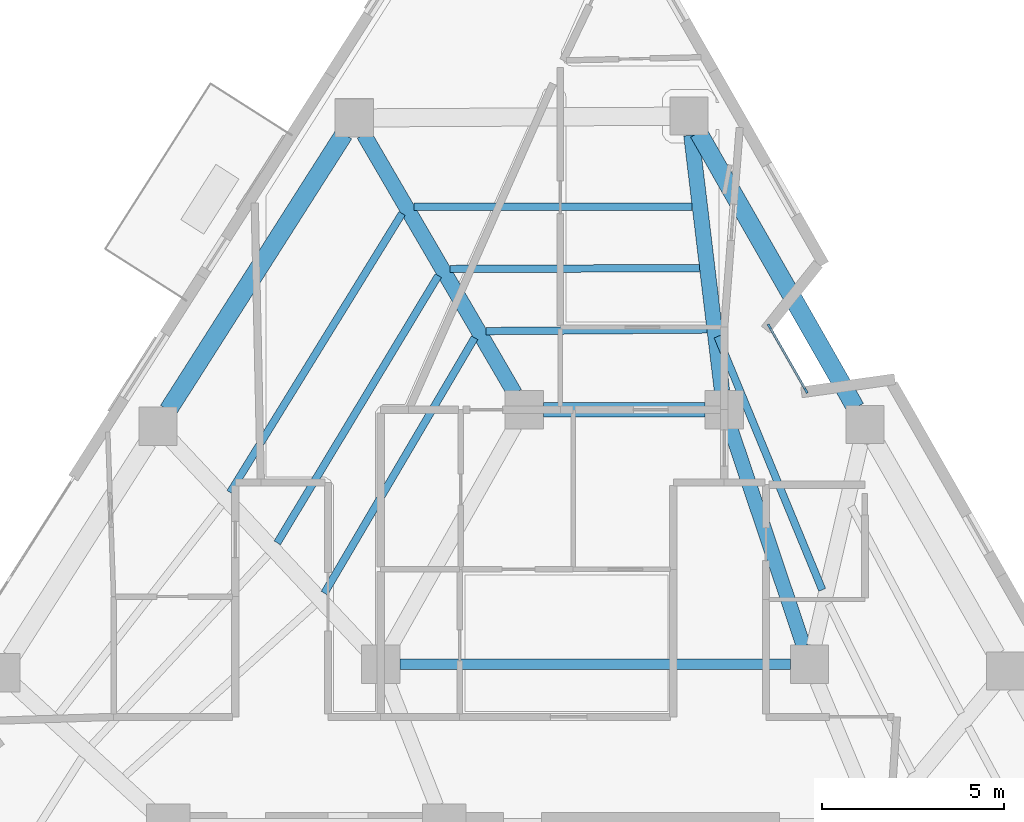
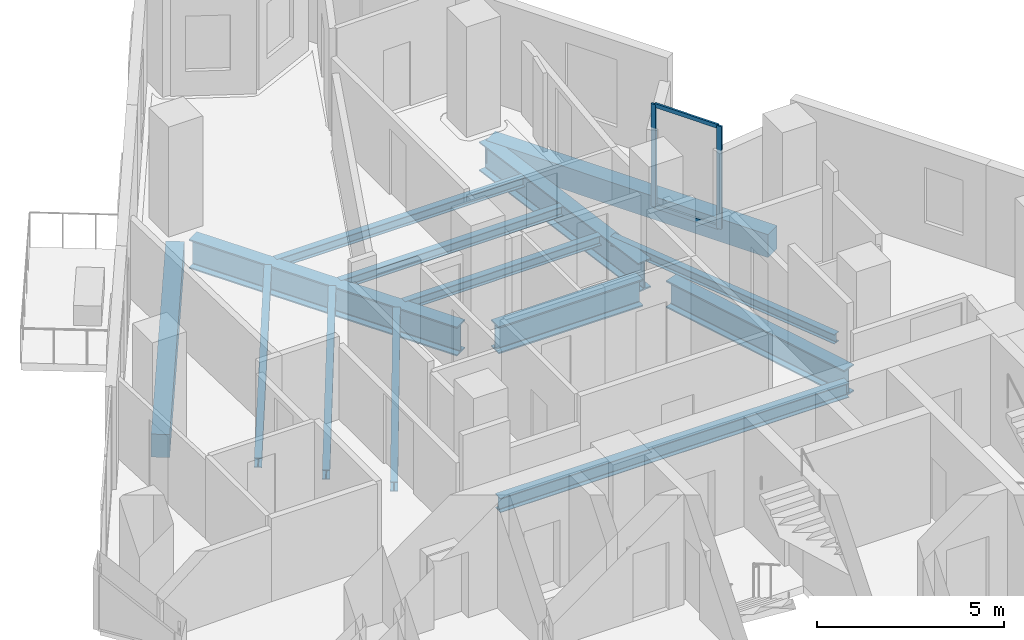
# One storey, part 3 of 11: 14 beams, 4 members, 1 element without a shape of its own.
"""IFC4 building model written with IfcOpenShell, lengths in metres."""

import ifcopenshell
import ifcopenshell.guid

model = None  # the IFC model being written
_history = None  # IfcOwnerHistory: only IFC2X3 demands one
_inside = {}  # id of a spatial element -> (the spatial element, [elements in it])
_under = {}  # id of a project, library or spatial element -> (it, [spatial elements below it])
_declared = {}  # id of a project -> (the project, [libraries it declares])
_typed = {}  # id of a type object -> (the type object, [elements of that type])
_made_of = {}  # id of a material, layer set ... -> (it, [elements and type objects made of it])


def new_model(schema):
    """Start an empty IFC model of exactly this schema.

    Asked for "IFC4X3", IfcOpenShell would pick the latest addendum, in which some entities
    have other attributes; the version numbers below select the first issue.
    IFC2X3 requires an IfcOwnerHistory on every rooted entity: one is made here for all.
    """
    global model, _history
    if schema == "IFC4X3":
        model = ifcopenshell.file(schema_version=(4, 3, 0, 0))
    else:
        model = ifcopenshell.file(schema=schema)
    _inside.clear()
    _under.clear()
    _declared.clear()
    _typed.clear()
    _made_of.clear()
    _history = None
    if model.schema == "IFC2X3":
        org = make("IfcOrganization", Name="unknown")
        user = make(
            "IfcPersonAndOrganization",
            ThePerson=make("IfcPerson", FamilyName="unknown"),
            TheOrganization=org,
        )
        app = make(
            "IfcApplication",
            ApplicationDeveloper=org,
            Version="unknown",
            ApplicationFullName="unknown",
            ApplicationIdentifier="unknown",
        )
        _history = make(
            "IfcOwnerHistory",
            OwningUser=user,
            OwningApplication=app,
            ChangeAction="ADDED",
            CreationDate=0,
        )
    return model


def make(cls, **values):
    """One entity of the class cls with the attributes given. An attribute that is None is left unset."""
    return model.create_entity(
        cls, **{name: value for name, value in values.items() if value is not None}
    )


def rooted(cls, **values):
    """An entity with a GlobalId (a new one), such as an element, a storey or a relation."""
    return make(cls, GlobalId=ifcopenshell.guid.new(), OwnerHistory=_history, **values)


def si_unit(unit_type, name, prefix=None):
    """IfcSIUnit, for example si_unit("LENGTHUNIT", "METRE", prefix="MILLI")."""
    return make("IfcSIUnit", UnitType=unit_type, Prefix=prefix, Name=name)


def assignment(units):
    """IfcUnitAssignment: the units of a project."""
    return None if units is None else make("IfcUnitAssignment", Units=units)


def point(xyz):
    """IfcCartesianPoint."""
    return None if xyz is None else make("IfcCartesianPoint", Coordinates=xyz)


def direction(xyz):
    """IfcDirection."""
    return None if xyz is None else make("IfcDirection", DirectionRatios=xyz)


def frame(location, z_axis=None, x_axis=None):
    """IfcAxis2Placement3D, a coordinate frame: its origin and axes. An axis left out is left unset."""
    return make(
        "IfcAxis2Placement3D",
        Location=point(location),
        Axis=direction(z_axis),
        RefDirection=direction(x_axis),
    )


def frame_2d(location, x_axis=None):
    """IfcAxis2Placement2D, a coordinate frame in the plane: its origin and x axis."""
    return make(
        "IfcAxis2Placement2D", Location=point(location), RefDirection=direction(x_axis)
    )


def origin():
    """The frame at (0, 0, 0) with its axes left unset."""
    return frame((0.0, 0.0, 0.0))


def origin_2d():
    """The frame at (0, 0) in the plane with its x axis left unset."""
    return frame_2d((0.0, 0.0))


def place(relative_to, where):
    """IfcLocalPlacement: puts the frame where relative to a parent placement (None: the world)."""
    return make(
        "IfcLocalPlacement", PlacementRelTo=relative_to, RelativePlacement=where
    )


def context(
    kind, dimensions, precision=None, world=None, true_north=None, identifier=None
):
    """IfcGeometricRepresentationContext, for example the 3D "Model" context."""
    return make(
        "IfcGeometricRepresentationContext",
        ContextIdentifier=identifier,
        ContextType=kind,
        CoordinateSpaceDimension=dimensions,
        Precision=precision,
        WorldCoordinateSystem=world,
        TrueNorth=true_north,
    )


def subcontext(parent, identifier, kind, view, scale=None):
    """IfcGeometricRepresentationSubContext, for example "Body" below "Model"."""
    return make(
        "IfcGeometricRepresentationSubContext",
        ContextIdentifier=identifier,
        ContextType=kind,
        ParentContext=parent,
        TargetScale=scale,
        TargetView=view,
    )


def project(units=None, contexts=None):
    """IfcProject with its units and contexts."""
    return rooted(
        "IfcProject",
        Name="project",
        RepresentationContexts=contexts,
        UnitsInContext=assignment(units),
    )


def spatial(cls, under=None, at=None, **own):
    """A site, building, storey or space (cls), placed at a placement, below another one or the project."""
    s = rooted(cls, ObjectPlacement=at, **own)
    if under is not None:
        _under.setdefault(under.id(), (under, []))[1].append(s)
    return s


def profile(cls, at=None, kind="AREA", **sizes):
    """A parametric profile (cls). Its sizes go by their IFC names, for example OverallWidth=200.0."""
    return make(cls, ProfileType=kind, Position=at, **sizes)


def rectangle(**sizes):
    """IfcRectangleProfileDef."""
    return profile("IfcRectangleProfileDef", **sizes)


def i_section(**sizes):
    """IfcIShapeProfileDef."""
    return profile("IfcIShapeProfileDef", **sizes)


def extrude(swept, where, along, depth):
    """IfcExtrudedAreaSolid: the profile swept, set in the frame where, extruded along a direction by depth."""
    return make(
        "IfcExtrudedAreaSolid",
        SweptArea=swept,
        Position=where,
        ExtrudedDirection=direction(along),
        Depth=depth,
    )


def shape(context_of_items, identifier, shape_type, items):
    """IfcShapeRepresentation: the items that make up one representation, for example the "Body"."""
    return make(
        "IfcShapeRepresentation",
        ContextOfItems=context_of_items,
        RepresentationIdentifier=identifier,
        RepresentationType=shape_type,
        Items=items,
    )


def material(Name=None, Category=None):
    """IfcMaterial."""
    return make("IfcMaterial", Name=Name, Category=Category)


def layer(
    of_material, thickness, ventilated=None, Name=None, Category=None, Priority=None
):
    """IfcMaterialLayer: one layer of a wall or slab, of a material (None: an air gap)."""
    return make(
        "IfcMaterialLayer",
        Material=of_material,
        LayerThickness=thickness,
        IsVentilated=ventilated,
        Name=Name,
        Category=Category,
        Priority=Priority,
    )


def layer_set(layers, Name=None):
    """IfcMaterialLayerSet."""
    return make("IfcMaterialLayerSet", MaterialLayers=layers, LayerSetName=Name)


def material_profile(
    of_material, cross_section, Name=None, Category=None, Priority=None
):
    """IfcMaterialProfile: a cross section and its material."""
    return make(
        "IfcMaterialProfile",
        Name=Name,
        Material=of_material,
        Profile=cross_section,
        Priority=Priority,
        Category=Category,
    )


def profile_set(profiles, Name=None, composite=None):
    """IfcMaterialProfileSet."""
    return make(
        "IfcMaterialProfileSet",
        Name=Name,
        MaterialProfiles=profiles,
        CompositeProfile=composite,
    )


def made_of(thing, what):
    """Note that an element or type object is made of a material, layer set ...; save() writes the relation."""
    if what is not None:
        _made_of.setdefault(what.id(), (what, []))[1].append(thing)
    return thing


def type_object(cls, material=None, **own):
    """A type object (cls), such as IfcWallType, which elements share."""
    return made_of(rooted(cls, **own), material)


def element(
    cls,
    number,
    at=None,
    inside=None,
    cuts=None,
    type_object=None,
    material=None,
    context=None,
    identifier="Body",
    shape_type=None,
    held_by="IfcProductDefinitionShape",
    body=None,
    shapes=None,
    **own,
):
    """One element of the class cls, such as IfcWall. Its Tag is "e" and its number.

    at: its placement. inside: the storey or other place that contains it. cuts: it is an
    opening in that element (IfcRelVoidsElement). A single representation is given by context,
    identifier, shape_type and body (its items); several are given by shapes. held_by: the class
    of the entity that holds the representations. save() writes the other relations.
    """
    e = rooted(cls, Tag="e%d" % number, ObjectPlacement=at, **own)
    if body is not None:
        shapes = [shape(context, identifier, shape_type, body)]
    if shapes is not None:
        e.Representation = make(held_by, Representations=shapes)
    if inside is not None:
        _inside.setdefault(inside.id(), (inside, []))[1].append(e)
    if cuts is not None:
        rooted(
            "IfcRelVoidsElement", RelatingBuildingElement=cuts, RelatedOpeningElement=e
        )
    if type_object is not None:
        _typed.setdefault(type_object.id(), (type_object, []))[1].append(e)
    return made_of(e, material)


def aggregate(whole, parts):
    """IfcRelAggregates: a whole, such as a stair, and the parts it consists of."""
    return rooted("IfcRelAggregates", RelatingObject=whole, RelatedObjects=parts)


def save(model, path):
    """Write the relations noted so far, then the file.

    IfcRelAggregates (storeys below a building ...), IfcRelContainedInSpatialStructure (elements
    in a storey), IfcRelDefinesByType, IfcRelAssociatesMaterial and IfcRelDeclares: one each for
    every whole, place, type object, material and project.
    """
    for whole, parts in _under.values():
        aggregate(whole, parts)
    for where, things in _inside.values():
        rooted(
            "IfcRelContainedInSpatialStructure",
            RelatedElements=things,
            RelatingStructure=where,
        )
    for kind, things in _typed.values():
        rooted("IfcRelDefinesByType", RelatedObjects=things, RelatingType=kind)
    for what, things in _made_of.values():
        rooted("IfcRelAssociatesMaterial", RelatedObjects=things, RelatingMaterial=what)
    for by, libraries in _declared.values():
        rooted("IfcRelDeclares", RelatingContext=by, RelatedDefinitions=libraries)
    model.write(path)


model = new_model("IFC4")

# Units and contexts
model_context = context("Model", 3, precision=1e-05, world=origin(), true_north=direction((0.0, 1.0)))
body_context = subcontext(model_context, "Body", "Model", "MODEL_VIEW")
ifc_project = project(units=[si_unit("LENGTHUNIT", "METRE"), si_unit("AREAUNIT", "SQUARE_METRE"), si_unit("VOLUMEUNIT", "CUBIC_METRE"), si_unit("PLANEANGLEUNIT", "RADIAN"), si_unit("MASSUNIT", "GRAM", prefix="KILO")], contexts=[model_context])

# Site, building, storey
site_placement = place(None, origin())
site = spatial("IfcSite", under=ifc_project, at=site_placement, CompositionType="ELEMENT")
building_placement = place(site_placement, origin())
building = spatial("IfcBuilding", under=site, at=building_placement, Name="Almagre Mirador Tower", CompositionType="ELEMENT")
storey_placement = place(building_placement, frame((0.0, 0.0, 135.60009765625)))
storey = spatial("IfcBuildingStorey", under=building, at=storey_placement, Name="L34", CompositionType="ELEMENT", Elevation=135.60009765625)

# Beams
ifc_material_1 = material(Name="Steel ASTM A992 Grade 50", Category="steel")
ifc_material_profile_1 = material_profile(ifc_material_1, i_section(OverallWidth=0.281982421875, OverallDepth=0.467041015625, WebThickness=0.01220703125, FlangeThickness=0.01953125, FilletRadius=0.01611328125, at=origin_2d()), Name="W18X86")
ifc_profile_set_1 = profile_set([ifc_material_profile_1], Name="Steel ASTM A992 Grade 50")
beam_type_1 = type_object("IfcBeamType", Name="BM-BAL-W18X86", PredefinedType="JOIST", material=ifc_profile_set_1)
beam_1_placement = place(storey_placement, frame((33.925048828125, 19.199951171875, -0.483642578125), z_axis=(1.0, 0.0, 0.0), x_axis=(0.0, 1.0, 0.0)))
element("IfcBeam", 1, at=beam_1_placement, inside=storey, type_object=beam_type_1, Name="L34 secondary header beam BB-01", PredefinedType="JOIST", context=body_context, shape_type="SweptSolid", body=[
    extrude(i_section(OverallWidth=0.281982421875, OverallDepth=0.467041015625, WebThickness=0.01220703125, FlangeThickness=0.01953125, FilletRadius=0.01611328125, at=origin_2d()), origin(), (0.0, 0.0, 1.0), 10.75),
])
ifc_material_2 = material(Name="Steel ASTM A992 Grade 50", Category="steel")
ifc_material_profile_2 = material_profile(ifc_material_2, i_section(OverallWidth=0.205078125, OverallDepth=0.31005859375, WebThickness=0.009521484375, FlangeThickness=0.016357421875, FilletRadius=0.013916015625, at=origin_2d()), Name="W12X50")
ifc_profile_set_2 = profile_set([ifc_material_profile_2], Name="Steel ASTM A992 Grade 50")
beam_type_2 = type_object("IfcBeamType", Name="BM-JST-W12X50", PredefinedType="JOIST", material=ifc_profile_set_2)
beam_2_placement = place(storey_placement, frame((45.5458984375, 21.244873046875, -0.405029296875), z_axis=(-0.381905651538, 0.924201316447, 0.0), x_axis=(-0.924201316447, -0.381905651538, 0.0)))
element("IfcBeam", 2, at=beam_2_placement, inside=storey, type_object=beam_type_2, Name="L34 secondary floor joist PC07-PC08.3", PredefinedType="JOIST", context=body_context, shape_type="SweptSolid", body=[
    extrude(i_section(OverallWidth=0.205078125, OverallDepth=0.31005859375, WebThickness=0.009521484375, FlangeThickness=0.016357421875, FilletRadius=0.013916015625, at=origin_2d()), origin(), (0.0, 0.0, 1.0), 7.540771484375),
])
beam_3_placement = place(storey_placement, frame((41.968994140625, 31.785888671875, -0.405029296875), z_axis=(-0.999999707396, -0.000764988779, 0.0), x_axis=(0.000764988779, -0.999999707396, 0.0)))
element("IfcBeam", 3, at=beam_3_placement, inside=storey, type_object=beam_type_2, Name="L34 secondary floor joist PC08-PC09.1", PredefinedType="JOIST", context=body_context, shape_type="SweptSolid", body=[
    extrude(i_section(OverallWidth=0.205078125, OverallDepth=0.31005859375, WebThickness=0.009521484375, FlangeThickness=0.016357421875, FilletRadius=0.013916015625, at=origin_2d()), origin(), (0.0, 0.0, 1.0), 7.659423828125),
])
beam_4_placement = place(storey_placement, frame((42.17138671875, 30.096923828125, -0.405029296875), z_axis=(-0.999993422774, -0.003626900726, 0.0), x_axis=(0.003626900726, -0.999993422774, 0.0)))
element("IfcBeam", 4, at=beam_4_placement, inside=storey, type_object=beam_type_2, Name="L34 secondary floor joist PC08-PC09.2", PredefinedType="JOIST", context=body_context, shape_type="SweptSolid", body=[
    extrude(i_section(OverallWidth=0.205078125, OverallDepth=0.31005859375, WebThickness=0.009521484375, FlangeThickness=0.016357421875, FilletRadius=0.013916015625, at=origin_2d()), origin(), (0.0, 0.0, 1.0), 6.865966796875),
])
beam_5_placement = place(storey_placement, frame((42.373779296875, 28.407958984375, -0.405029296875), z_axis=(-0.999973815661, -0.007236573265, 0.0), x_axis=(0.007236573265, -0.999973815661, 0.0)))
element("IfcBeam", 5, at=beam_5_placement, inside=storey, type_object=beam_type_2, Name="L34 secondary floor joist PC08-PC09.3", PredefinedType="JOIST", context=body_context, shape_type="SweptSolid", body=[
    extrude(i_section(OverallWidth=0.205078125, OverallDepth=0.31005859375, WebThickness=0.009521484375, FlangeThickness=0.016357421875, FilletRadius=0.013916015625, at=origin_2d()), origin(), (0.0, 0.0, 1.0), 6.07275390625),
])
beam_6_placement = place(storey_placement, frame((33.9873046875, 31.599853515625, -0.405029296875), z_axis=(-0.524733374032, -0.851266636358, 0.0), x_axis=(0.851266636358, -0.524733374032, 0.0)))
element("IfcBeam", 6, at=beam_6_placement, inside=storey, type_object=beam_type_2, Name="L34 secondary floor joist PC09-PC10.1", PredefinedType="JOIST", context=body_context, shape_type="SweptSolid", body=[
    extrude(i_section(OverallWidth=0.205078125, OverallDepth=0.31005859375, WebThickness=0.009521484375, FlangeThickness=0.016357421875, FilletRadius=0.013916015625, at=origin_2d()), origin(), (0.0, 0.0, 1.0), 9.015380859375),
])
beam_7_placement = place(storey_placement, frame((34.98486328125, 29.889892578125, -0.405029296875), z_axis=(-0.516284925562, -0.85641688192, 0.0), x_axis=(0.85641688192, -0.516284925562, 0.0)))
element("IfcBeam", 7, at=beam_7_placement, inside=storey, type_object=beam_type_2, Name="L34 secondary floor joist PC09-PC10.2", PredefinedType="JOIST", context=body_context, shape_type="SweptSolid", body=[
    extrude(i_section(OverallWidth=0.205078125, OverallDepth=0.31005859375, WebThickness=0.009521484375, FlangeThickness=0.016357421875, FilletRadius=0.013916015625, at=origin_2d()), origin(), (0.0, 0.0, 1.0), 8.583251953125),
])
beam_8_placement = place(storey_placement, frame((35.982666015625, 28.179931640625, -0.405029296875), z_axis=(-0.506949452093, -0.861975784476, 0.0), x_axis=(0.861975784476, -0.506949452093, 0.0)))
element("IfcBeam", 8, at=beam_8_placement, inside=storey, type_object=beam_type_2, Name="L34 secondary floor joist PC09-PC10.3", PredefinedType="JOIST", context=body_context, shape_type="SweptSolid", body=[
    extrude(i_section(OverallWidth=0.205078125, OverallDepth=0.31005859375, WebThickness=0.009521484375, FlangeThickness=0.016357421875, FilletRadius=0.013916015625, at=origin_2d()), origin(), (0.0, 0.0, 1.0), 8.15234375),
])
ifc_material_3 = material(Name="Precast concrete C50/60", Category="concrete")
ifc_material_profile_3 = material_profile(ifc_material_3, rectangle(XDim=0.5, YDim=0.75, at=origin_2d()), Name="RC500X750")
ifc_profile_set_3 = profile_set([ifc_material_profile_3], Name="Precast concrete C50/60")
beam_type_3 = type_object("IfcBeamType", Name="BM-SPN-RC500X750", PredefinedType="SPANDREL", material=ifc_profile_set_3)
beam_9_placement = place(storey_placement, frame((46.4619140625, 26.2529296875, -0.625), z_axis=(-0.495722514223, 0.868480966339, 0.0), x_axis=(-0.868480966339, -0.495722514223, 0.0)))
element("IfcBeam", 9, at=beam_9_placement, inside=storey, type_object=beam_type_3, Name="L34 perimeter spandrel beam PC07-PC08", PredefinedType="SPANDREL", context=body_context, shape_type="SweptSolid", body=[
    extrude(rectangle(XDim=0.5, YDim=0.75, at=origin_2d()), origin(), (0.0, 0.0, 1.0), 8.714111328125),
])
beam_10_placement = place(storey_placement, frame((32.389892578125, 33.7841796875, -0.625), z_axis=(-0.53711935681, -0.84350625163, 0.0), x_axis=(0.84350625163, -0.53711935681, 0.0)))
element("IfcBeam", 10, at=beam_10_placement, inside=storey, type_object=beam_type_3, Name="L34 perimeter spandrel beam PC09-PC10", PredefinedType="SPANDREL", context=body_context, shape_type="SweptSolid", body=[
    extrude(rectangle(XDim=0.5, YDim=0.75, at=origin_2d()), origin(), (0.0, 0.0, 1.0), 9.00341796875),
])
ifc_material_4 = material(Name="Steel ASTM A992 Grade 50", Category="steel")
ifc_material_profile_4 = material_profile(ifc_material_4, i_section(OverallWidth=0.404052734375, OverallDepth=0.884033203125, WebThickness=0.0244140625, FlangeThickness=0.0439453125, FilletRadius=0.02490234375, at=origin_2d()), Name="W33X291")
ifc_profile_set_4 = profile_set([ifc_material_profile_4], Name="Steel ASTM A992 Grade 50")
beam_type_4 = type_object("IfcBeamType", Name="BM-STL-W33X291", PredefinedType="BEAM", material=ifc_profile_set_4)
beam_11_placement = place(storey_placement, frame((37.875, 26.199951171875, -0.692138671875), z_axis=(1.0, 0.0, 0.0), x_axis=(0.0, 1.0, 0.0)))
element("IfcBeam", 11, at=beam_11_placement, inside=storey, type_object=beam_type_4, Name="L34 core tie girder MC7-MC6", PredefinedType="BEAM", context=body_context, shape_type="SweptSolid", body=[
    extrude(i_section(OverallWidth=0.404052734375, OverallDepth=0.884033203125, WebThickness=0.0244140625, FlangeThickness=0.0439453125, FilletRadius=0.02490234375, at=origin_2d()), origin(), (0.0, 0.0, 1.0), 4.449951171875),
])
beam_12_placement = place(storey_placement, frame((43.01708984375, 25.702392578125, -0.692138671875), z_axis=(0.318262189587, -0.948002731367, 0.0), x_axis=(0.948002731367, 0.318262189587, 0.0)))
element("IfcBeam", 12, at=beam_12_placement, inside=storey, type_object=beam_type_4, Name="L34 core tie girder MC6-MC5", PredefinedType="BEAM", context=body_context, shape_type="SweptSolid", body=[
    extrude(i_section(OverallWidth=0.404052734375, OverallDepth=0.884033203125, WebThickness=0.0244140625, FlangeThickness=0.0439453125, FilletRadius=0.02490234375, at=origin_2d()), origin(), (0.0, 0.0, 1.0), 6.333984375),
])
ifc_material_5 = material(Name="Steel ASTM A992 Grade 50", Category="steel")
ifc_material_profile_5 = material_profile(ifc_material_5, i_section(OverallWidth=0.423095703125, OverallDepth=0.947998046875, WebThickness=0.02392578125, FlangeThickness=0.042724609375, FilletRadius=0.028076171875, at=origin_2d()), Name="W36X302")
ifc_profile_set_5 = profile_set([ifc_material_profile_5], Name="Steel ASTM A992 Grade 50")
beam_type_5 = type_object("IfcBeamType", Name="BM-STL-W36X302", PredefinedType="BEAM", material=ifc_profile_set_5)
beam_13_placement = place(storey_placement, frame((41.944580078125, 33.755615234375, -0.72412109375), z_axis=(0.118990312316, -0.992895415225, 0.0), x_axis=(0.992895415225, 0.118990312316, 0.0)))
element("IfcBeam", 13, at=beam_13_placement, inside=storey, type_object=beam_type_5, Name="L34 radial floor girder PC08-MC6", PredefinedType="BEAM", context=body_context, shape_type="SweptSolid", body=[
    extrude(i_section(OverallWidth=0.423095703125, OverallDepth=0.947998046875, WebThickness=0.02392578125, FlangeThickness=0.042724609375, FilletRadius=0.028076171875, at=origin_2d()), origin(), (0.0, 0.0, 1.0), 7.084716796875),
])
beam_14_placement = place(storey_placement, frame((32.936279296875, 33.7734375, -0.72412109375), z_axis=(0.503522841175, -0.863981914403, 0.0), x_axis=(0.863981914403, 0.503522841175, 0.0)))
element("IfcBeam", 14, at=beam_14_placement, inside=storey, type_object=beam_type_5, Name="L34 radial floor girder PC09-MC7", PredefinedType="BEAM", context=body_context, shape_type="SweptSolid", body=[
    extrude(i_section(OverallWidth=0.423095703125, OverallDepth=0.947998046875, WebThickness=0.02392578125, FlangeThickness=0.042724609375, FilletRadius=0.028076171875, at=origin_2d()), origin(), (0.0, 0.0, 1.0), 8.24072265625),
])

# Curtain wall, members
ifc_material_6 = material(Name="Black anodized aluminium", Category="aluminium")
ifc_layer = layer(ifc_material_6, 0.169921875)
ifc_layer_set = layer_set([ifc_layer], Name="Black anodized aluminium")
curtain_wall_type = type_object("IfcCurtainWallType", Name="CW-CRS-SYS", PredefinedType="NOTDEFINED", material=ifc_layer_set)
curtain_wall_placement = place(storey_placement, origin())
curtain_wall = element("IfcCurtainWall", 15, at=curtain_wall_placement, inside=storey, type_object=curtain_wall_type, Name="L34 vertical crease curtain wall 03", PredefinedType="NOTDEFINED")
ifc_material_7 = material(Name="Black anodized aluminium", Category="aluminium")
ifc_material_profile_6 = material_profile(ifc_material_7, rectangle(XDim=0.06005859375, YDim=0.14990234375, at=origin_2d()), Name="CWM60X150")
ifc_profile_set_6 = profile_set([ifc_material_profile_6], Name="Black anodized aluminium")
member_type_1 = type_object("IfcMemberType", Name="MBR-CWM60X150", PredefinedType="MULLION", material=ifc_profile_set_6)
member_1_placement = place(storey_placement, frame((44.091796875, 28.488037109375, 0.0), z_axis=(0.0, 0.0, 1.0), x_axis=(0.868478613785, 0.495726635757, 0.0)))
member_1 = element("IfcMember", 16, at=member_1_placement, type_object=member_type_1, Name="CW-4 mullion 1", PredefinedType="MULLION", context=body_context, shape_type="SweptSolid", body=[
    extrude(rectangle(XDim=0.06005859375, YDim=0.14990234375, at=origin_2d()), origin(), (0.0, 0.0, 1.0), 3.349853515625),
])
member_2_placement = place(storey_placement, frame((45.09814453125, 26.72509765625, 0.0), z_axis=(0.0, 0.0, 1.0), x_axis=(0.868478613785, 0.495726635757, 0.0)))
member_2 = element("IfcMember", 17, at=member_2_placement, type_object=member_type_1, Name="CW-4 mullion 2", PredefinedType="MULLION", context=body_context, shape_type="SweptSolid", body=[
    extrude(rectangle(XDim=0.06005859375, YDim=0.14990234375, at=origin_2d()), origin(), (0.0, 0.0, 1.0), 3.349853515625),
])
ifc_material_8 = material(Name="Black anodized aluminium", Category="aluminium")
ifc_material_profile_7 = material_profile(ifc_material_8, rectangle(XDim=0.06005859375, YDim=0.1298828125, at=origin_2d()), Name="CWT60X130")
ifc_profile_set_7 = profile_set([ifc_material_profile_7], Name="Black anodized aluminium")
member_type_2 = type_object("IfcMemberType", Name="MBR-CWT60X130", PredefinedType="USERDEFINED", material=ifc_profile_set_7)
member_3_placement = place(storey_placement, frame((44.106689453125, 28.4619140625, 0.02978515625), z_axis=(0.495765161733, -0.868456622067, 0.0), x_axis=(0.868456622067, 0.495765161733, 0.0)))
member_3 = element("IfcMember", 18, at=member_3_placement, type_object=member_type_2, Name="CW-4 transom 1.1", ObjectType="TRANSOM", PredefinedType="USERDEFINED", context=body_context, shape_type="SweptSolid", body=[
    extrude(rectangle(XDim=0.06005859375, YDim=0.1298828125, at=origin_2d()), origin(), (0.0, 0.0, 1.0), 1.9697265625),
])
member_4_placement = place(storey_placement, frame((44.106689453125, 28.4619140625, 3.31982421875), z_axis=(0.495765161733, -0.868456622067, 0.0), x_axis=(0.868456622067, 0.495765161733, 0.0)))
member_4 = element("IfcMember", 19, at=member_4_placement, type_object=member_type_2, Name="CW-4 transom 1.2", ObjectType="TRANSOM", PredefinedType="USERDEFINED", context=body_context, shape_type="SweptSolid", body=[
    extrude(rectangle(XDim=0.06005859375, YDim=0.1298828125, at=origin_2d()), origin(), (0.0, 0.0, 1.0), 1.9697265625),
])
aggregate(curtain_wall, [member_1, member_2, member_3, member_4])

save(model, "model.ifc")
